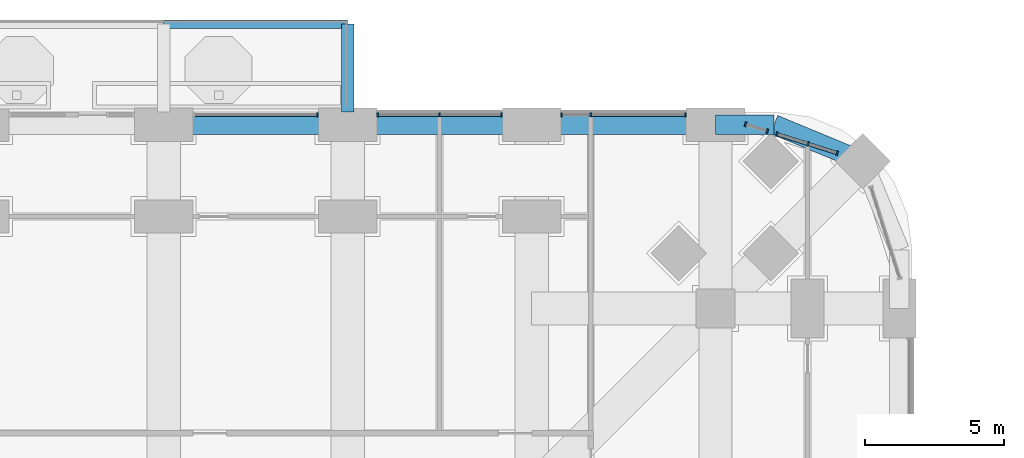
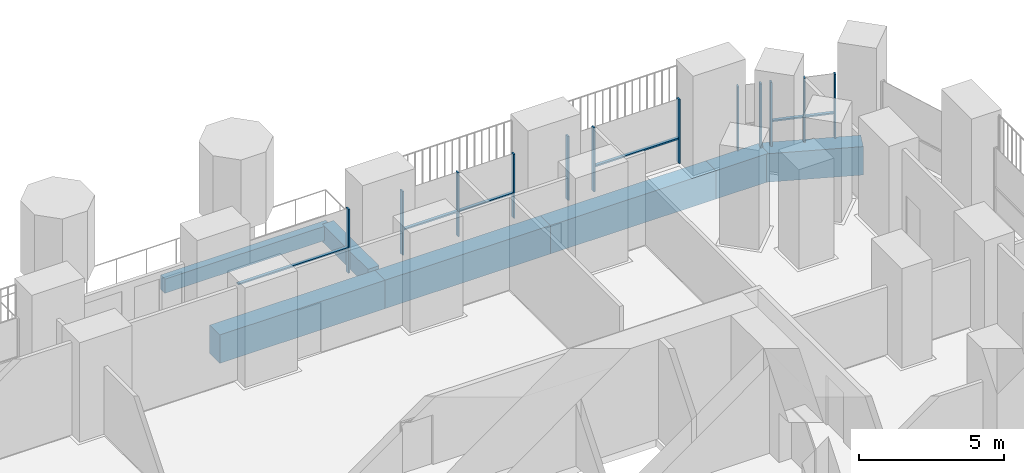
# One storey, part 9 of 26: 18 members, 7 beams, 5 elements without a shape of their own.
"""IFC4 building model written with IfcOpenShell, lengths in metres."""

from ifc_helpers import new_model, si_unit, direction, frame, origin, origin_2d, place, context, subcontext, project, spatial, rectangle, extrude, material, material_profile, profile_set, type_object, element, aggregate, save


model = new_model("IFC4")

# Units and contexts
model_context = context("Model", 3, precision=1e-05, world=origin(), true_north=direction((0.0, 1.0)))
body_context = subcontext(model_context, "Body", "Model", "MODEL_VIEW")
ifc_project = project(units=[si_unit("LENGTHUNIT", "METRE"), si_unit("AREAUNIT", "SQUARE_METRE"), si_unit("VOLUMEUNIT", "CUBIC_METRE"), si_unit("PLANEANGLEUNIT", "RADIAN"), si_unit("MASSUNIT", "GRAM", prefix="KILO")], contexts=[model_context])

# Site, building, storey
site_placement = place(None, origin())
site = spatial("IfcSite", under=ifc_project, at=site_placement, CompositionType="ELEMENT")
building_placement = place(site_placement, origin())
building = spatial("IfcBuilding", under=site, at=building_placement, Name="Cobogo Forest Laboratory Tower", CompositionType="ELEMENT")
storey_placement = place(building_placement, frame((0.0, 0.0, 42.300048828125)))
storey = spatial("IfcBuildingStorey", under=building, at=storey_placement, Name="L09", CompositionType="ELEMENT", Elevation=42.300048828125)

# Beams
ifc_material_1 = material(Name="Concrete HA-40 (C40/50)", Category="concrete")
ifc_material_profile_1 = material_profile(ifc_material_1, rectangle(XDim=0.449951171875, YDim=0.75, at=origin_2d()), Name="RC 450x750")
ifc_profile_set_1 = profile_set([ifc_material_profile_1], Name="Concrete HA-40 (C40/50)")
beam_type_1 = type_object("IfcBeamType", Name="Balcony cantilever beam 450x750", PredefinedType="BEAM", material=ifc_profile_set_1)
beam_1_placement = place(storey_placement, frame((33.0, 46.64990234375, -0.625), z_axis=(0.0, 1.0, 0.0), x_axis=(-1.0, 0.0, 0.0)))
element("IfcBeam", 1, at=beam_1_placement, inside=storey, type_object=beam_type_1, Name="CB1 BAL-N1-C3 L09", PredefinedType="BEAM", context=body_context, shape_type="SweptSolid", body=[
    extrude(rectangle(XDim=0.449951171875, YDim=0.75, at=origin_2d()), origin(), (0.0, 0.0, 1.0), 3.150146484375),
])
ifc_material_profile_2 = material_profile(ifc_material_1, rectangle(XDim=0.300048828125, YDim=0.60009765625, at=origin_2d()), Name="RC 300x600")
ifc_profile_set_2 = profile_set([ifc_material_profile_2], Name="Concrete HA-40 (C40/50)")
beam_type_2 = type_object("IfcBeamType", Name="Balcony edge beam 300x600", PredefinedType="BEAM", material=ifc_profile_set_2)
beam_2_placement = place(storey_placement, frame((26.39990234375, 49.800048828125, -0.550048828125), z_axis=(1.0, 0.0, 0.0), x_axis=(0.0, 1.0, 0.0)))
element("IfcBeam", 2, at=beam_2_placement, inside=storey, type_object=beam_type_2, Name="BB1 BAL-N1-T2 L09", PredefinedType="BEAM", context=body_context, shape_type="SweptSolid", body=[
    extrude(rectangle(XDim=0.300048828125, YDim=0.60009765625, at=origin_2d()), origin(), (0.0, 0.0, 1.0), 6.60009765625),
])

# Curtain wall, members
ifc_material_2 = material(Name="Aluminium curtain wall", Category="aluminium")
curtain_wall_type = type_object("IfcCurtainWallType", Name="CW-1 unitised curtain wall, clear glazing, laboratory floors zones A and B", PredefinedType="USERDEFINED", material=ifc_material_2)
curtain_wall_1_placement = place(storey_placement, origin())
curtain_wall_1 = element("IfcCurtainWall", 3, at=curtain_wall_1_placement, inside=storey, type_object=curtain_wall_type, Name="Curtain wall 16 L09", ObjectType="UNITISED CURTAIN WALL", PredefinedType="USERDEFINED")
ifc_material_3 = material(Name="Aluminium mullion", Category="aluminium")
ifc_material_profile_3 = material_profile(ifc_material_3, rectangle(XDim=0.06005859375, YDim=0.159912109375, at=origin_2d()), Name="AL 60x160")
ifc_profile_set_3 = profile_set([ifc_material_profile_3], Name="Aluminium mullion")
member_type_1 = type_object("IfcMemberType", Name="MU-1 aluminium mullion 60x160", PredefinedType="MULLION", material=ifc_profile_set_3)
member_1_placement = place(storey_placement, frame((50.561279296875, 45.1728515625, 0.0), z_axis=(0.0, 0.0, 1.0), x_axis=(-0.953581409645, 0.301135343623, 0.0)))
member_1 = element("IfcMember", 4, at=member_1_placement, type_object=member_type_1, Name="CW-1 mullion 1", PredefinedType="MULLION", context=body_context, shape_type="SweptSolid", body=[
    extrude(rectangle(XDim=0.06005859375, YDim=0.159912109375, at=origin_2d()), origin(), (0.0, 0.0, 1.0), 2.699951171875),
])
member_2_placement = place(storey_placement, frame((49.524169921875, 45.500244140625, 0.0), z_axis=(0.0, 0.0, 1.0), x_axis=(-0.953581409645, 0.301135343623, 0.0)))
member_2 = element("IfcMember", 5, at=member_2_placement, type_object=member_type_1, Name="CW-1 mullion 2", PredefinedType="MULLION", context=body_context, shape_type="SweptSolid", body=[
    extrude(rectangle(XDim=0.06005859375, YDim=0.159912109375, at=origin_2d()), origin(), (0.0, 0.0, 1.0), 2.699951171875),
])
member_3_placement = place(storey_placement, frame((48.403076171875, 45.854248046875, 0.0), z_axis=(0.0, 0.0, 1.0), x_axis=(-0.953581409645, 0.301135343623, 0.0)))
member_3 = element("IfcMember", 6, at=member_3_placement, type_object=member_type_1, Name="CW-1 mullion 3", PredefinedType="MULLION", context=body_context, shape_type="SweptSolid", body=[
    extrude(rectangle(XDim=0.06005859375, YDim=0.159912109375, at=origin_2d()), origin(), (0.0, 0.0, 1.0), 2.699951171875),
])

curtain_wall_2_placement = place(storey_placement, origin())
curtain_wall_2 = element("IfcCurtainWall", 7, at=curtain_wall_2_placement, inside=storey, type_object=curtain_wall_type, Name="Curtain wall 17 L09", ObjectType="UNITISED CURTAIN WALL", PredefinedType="USERDEFINED")
member_4_placement = place(storey_placement, frame((48.05322265625, 45.96484375, 0.0), z_axis=(0.0, 0.0, 1.0), x_axis=(-0.953581504428, 0.301135043481, 0.0)))
member_4 = element("IfcMember", 8, at=member_4_placement, type_object=member_type_1, Name="CW-1 mullion 1", PredefinedType="MULLION", context=body_context, shape_type="SweptSolid", body=[
    extrude(rectangle(XDim=0.06005859375, YDim=0.159912109375, at=origin_2d()), origin(), (0.0, 0.0, 1.0), 2.699951171875),
])
member_5_placement = place(storey_placement, frame((47.278564453125, 46.20947265625, 0.0), z_axis=(0.0, 0.0, 1.0), x_axis=(-0.953581504428, 0.301135043481, 0.0)))
member_5 = element("IfcMember", 9, at=member_5_placement, type_object=member_type_1, Name="CW-1 mullion 2", PredefinedType="MULLION", context=body_context, shape_type="SweptSolid", body=[
    extrude(rectangle(XDim=0.06005859375, YDim=0.159912109375, at=origin_2d()), origin(), (0.0, 0.0, 1.0), 2.699951171875),
])
aggregate(curtain_wall_2, [member_4, member_5])

curtain_wall_3_placement = place(storey_placement, origin())
curtain_wall_3 = element("IfcCurtainWall", 10, at=curtain_wall_3_placement, inside=storey, type_object=curtain_wall_type, Name="Curtain wall 18 L09", ObjectType="UNITISED CURTAIN WALL", PredefinedType="USERDEFINED")
member_6_placement = place(storey_placement, frame((45.1201171875, 46.550048828125, 0.0), z_axis=(0.0, 0.0, 1.0), x_axis=(-1.0, 0.0, 0.0)))
member_6 = element("IfcMember", 11, at=member_6_placement, type_object=member_type_1, Name="CW-1 mullion 1", PredefinedType="MULLION", context=body_context, shape_type="SweptSolid", body=[
    extrude(rectangle(XDim=0.06005859375, YDim=0.159912109375, at=origin_2d()), origin(), (0.0, 0.0, 1.0), 2.699951171875),
])
member_7_placement = place(storey_placement, frame((41.72509765625, 46.550048828125, 0.0), z_axis=(0.0, 0.0, 1.0), x_axis=(-1.0, 0.0, 0.0)))
member_7 = element("IfcMember", 12, at=member_7_placement, type_object=member_type_1, Name="CW-1 mullion 2", PredefinedType="MULLION", context=body_context, shape_type="SweptSolid", body=[
    extrude(rectangle(XDim=0.06005859375, YDim=0.159912109375, at=origin_2d()), origin(), (0.0, 0.0, 1.0), 2.699951171875),
])
member_8_placement = place(storey_placement, frame((40.679931640625, 46.550048828125, 0.0), z_axis=(0.0, 0.0, 1.0), x_axis=(-1.0, 0.0, 0.0)))
member_8 = element("IfcMember", 13, at=member_8_placement, type_object=member_type_1, Name="CW-1 mullion 3", PredefinedType="MULLION", context=body_context, shape_type="SweptSolid", body=[
    extrude(rectangle(XDim=0.06005859375, YDim=0.159912109375, at=origin_2d()), origin(), (0.0, 0.0, 1.0), 2.699951171875),
])

curtain_wall_4_placement = place(storey_placement, origin())
curtain_wall_4 = element("IfcCurtainWall", 14, at=curtain_wall_4_placement, inside=storey, type_object=curtain_wall_type, Name="Curtain wall 19 L09", ObjectType="UNITISED CURTAIN WALL", PredefinedType="USERDEFINED")
member_9_placement = place(storey_placement, frame((38.52001953125, 46.550048828125, 0.0), z_axis=(0.0, 0.0, 1.0), x_axis=(-1.0, 0.0, 0.0)))
member_9 = element("IfcMember", 15, at=member_9_placement, type_object=member_type_1, Name="CW-1 mullion 1", PredefinedType="MULLION", context=body_context, shape_type="SweptSolid", body=[
    extrude(rectangle(XDim=0.06005859375, YDim=0.159912109375, at=origin_2d()), origin(), (0.0, 0.0, 1.0), 2.699951171875),
])
member_10_placement = place(storey_placement, frame((36.300048828125, 46.550048828125, 0.0), z_axis=(0.0, 0.0, 1.0), x_axis=(-1.0, 0.0, 0.0)))
member_10 = element("IfcMember", 16, at=member_10_placement, type_object=member_type_1, Name="CW-1 mullion 2", PredefinedType="MULLION", context=body_context, shape_type="SweptSolid", body=[
    extrude(rectangle(XDim=0.06005859375, YDim=0.159912109375, at=origin_2d()), origin(), (0.0, 0.0, 1.0), 2.699951171875),
])
member_11_placement = place(storey_placement, frame((34.080078125, 46.550048828125, 0.0), z_axis=(0.0, 0.0, 1.0), x_axis=(-1.0, 0.0, 0.0)))
member_11 = element("IfcMember", 17, at=member_11_placement, type_object=member_type_1, Name="CW-1 mullion 3", PredefinedType="MULLION", context=body_context, shape_type="SweptSolid", body=[
    extrude(rectangle(XDim=0.06005859375, YDim=0.159912109375, at=origin_2d()), origin(), (0.0, 0.0, 1.0), 2.699951171875),
])

# Curtain wall, member
curtain_wall_5_placement = place(storey_placement, origin())
curtain_wall_5 = element("IfcCurtainWall", 18, at=curtain_wall_5_placement, inside=storey, type_object=curtain_wall_type, Name="Curtain wall 20 L09", ObjectType="UNITISED CURTAIN WALL", PredefinedType="USERDEFINED")
member_12_placement = place(storey_placement, frame((31.919921875, 46.550048828125, 0.0), z_axis=(0.0, 0.0, 1.0), x_axis=(-1.0, 0.0, 0.0)))
member_12 = element("IfcMember", 19, at=member_12_placement, type_object=member_type_1, Name="CW-1 mullion 1", PredefinedType="MULLION", context=body_context, shape_type="SweptSolid", body=[
    extrude(rectangle(XDim=0.06005859375, YDim=0.159912109375, at=origin_2d()), origin(), (0.0, 0.0, 1.0), 2.699951171875),
])

# Beams
ifc_material_profile_4 = material_profile(ifc_material_1, rectangle(XDim=0.699951171875, YDim=1.199951171875, at=origin_2d()), Name="RC 700x1200")
ifc_profile_set_4 = profile_set([ifc_material_profile_4], Name="Concrete HA-40 (C40/50)")
beam_type_3 = type_object("IfcBeamType", Name="Perimeter edge beam 700x1200", PredefinedType="BEAM", material=ifc_profile_set_4)
for number, where, z_axis, x_axis, name in (
    (20, (26.39990234375, 46.199951171875, -0.900146484375), (1.0, 0.0, 0.0), (0.0, 1.0, 0.0), "EB1 E-N4 L09"),
    (21, (33.0, 46.199951171875, -0.900146484375), (1.0, 0.0, 0.0), (0.0, 1.0, 0.0), "EB1 E-N5 L09"),
):
    element("IfcBeam", number, at=place(storey_placement, frame(where, z_axis=z_axis, x_axis=x_axis)), inside=storey, type_object=beam_type_3, Name=name, PredefinedType="BEAM", context=body_context, shape_type="SweptSolid", body=[
        extrude(rectangle(XDim=0.699951171875, YDim=1.199951171875, at=origin_2d()), origin(), (0.0, 0.0, 1.0), 6.60009765625),
    ])
beam_3_placement = place(storey_placement, frame((39.60009765625, 46.199951171875, -0.900146484375), z_axis=(1.0, 0.0, 0.0), x_axis=(0.0, 1.0, 0.0)))
element("IfcBeam", 22, at=beam_3_placement, inside=storey, type_object=beam_type_3, Name="EB1 E-N6 L09", PredefinedType="BEAM", context=body_context, shape_type="SweptSolid", body=[
    extrude(rectangle(XDim=0.699951171875, YDim=1.199951171875, at=origin_2d()), origin(), (0.0, 0.0, 1.0), 6.599853515625),
])
beam_4_placement = place(storey_placement, frame((46.199951171875, 46.199951171875, -0.900146484375), z_axis=(1.0, 0.0, 0.0), x_axis=(0.0, 1.0, 0.0)))
element("IfcBeam", 23, at=beam_4_placement, inside=storey, type_object=beam_type_3, Name="EB1 E-NEN1 L09", PredefinedType="BEAM", context=body_context, shape_type="SweptSolid", body=[
    extrude(rectangle(XDim=0.699951171875, YDim=1.199951171875, at=origin_2d()), origin(), (0.0, 0.0, 1.0), 2.10009765625),
])
beam_5_placement = place(storey_placement, frame((48.300048828125, 46.199951171875, -0.900146484375), z_axis=(0.923890694089, -0.382656484822, 0.0), x_axis=(0.382656484822, 0.923890694089, 0.0)))
element("IfcBeam", 24, at=beam_5_placement, inside=storey, type_object=beam_type_3, Name="EB1 E-NEN2 L09", PredefinedType="BEAM", context=body_context, shape_type="SweptSolid", body=[
    extrude(rectangle(XDim=0.699951171875, YDim=1.199951171875, at=origin_2d()), origin(), (0.0, 0.0, 1.0), 3.444091796875),
])

# Member
ifc_material_4 = material(Name="Aluminium transom", Category="aluminium")
ifc_material_profile_5 = material_profile(ifc_material_4, rectangle(XDim=0.1201171875, YDim=0.06005859375, at=origin_2d()), Name="AL 60x120")
ifc_profile_set_5 = profile_set([ifc_material_profile_5], Name="Aluminium transom")
member_type_2 = type_object("IfcMemberType", Name="TR-1 aluminium transom 60x120", PredefinedType="USERDEFINED", material=ifc_profile_set_5)
member_13_placement = place(storey_placement, frame((50.53271484375, 45.181884765625, 1.050048828125), z_axis=(-0.953622152866, 0.301006294888, 0.0), x_axis=(-0.301006294888, -0.953622152866, 0.0)))
member_13 = element("IfcMember", 25, at=member_13_placement, type_object=member_type_2, Name="CW-1 transom 1.1", ObjectType="TRANSOM", PredefinedType="USERDEFINED", context=body_context, shape_type="SweptSolid", body=[
    extrude(rectangle(XDim=0.1201171875, YDim=0.06005859375, at=origin_2d()), origin(), (0.0, 0.0, 1.0), 1.027587890625),
])

member_14_placement = place(storey_placement, frame((49.495361328125, 45.50927734375, 1.050048828125), z_axis=(-0.953576049467, 0.301152316747, 0.0), x_axis=(-0.301152316747, -0.953576049467, 0.0)))
member_14 = element("IfcMember", 26, at=member_14_placement, type_object=member_type_2, Name="CW-1 transom 2.1", ObjectType="TRANSOM", PredefinedType="USERDEFINED", context=body_context, shape_type="SweptSolid", body=[
    extrude(rectangle(XDim=0.1201171875, YDim=0.06005859375, at=origin_2d()), origin(), (0.0, 0.0, 1.0), 1.115478515625),
])

aggregate(curtain_wall_1, [member_1, member_2, member_3, member_13, member_14])

member_15_placement = place(storey_placement, frame((45.090087890625, 46.550048828125, 1.050048828125), z_axis=(-1.0, 0.0, 0.0), x_axis=(0.0, -1.0, 0.0)))
member_15 = element("IfcMember", 27, at=member_15_placement, type_object=member_type_2, Name="CW-1 transom 1.1", ObjectType="TRANSOM", PredefinedType="USERDEFINED", context=body_context, shape_type="SweptSolid", body=[
    extrude(rectangle(XDim=0.1201171875, YDim=0.06005859375, at=origin_2d()), origin(), (0.0, 0.0, 1.0), 3.335205078125),
])

aggregate(curtain_wall_3, [member_6, member_7, member_8, member_15])

member_16_placement = place(storey_placement, frame((38.489990234375, 46.550048828125, 1.050048828125), z_axis=(-1.0, 0.0, 0.0), x_axis=(0.0, -1.0, 0.0)))
member_16 = element("IfcMember", 28, at=member_16_placement, type_object=member_type_2, Name="CW-1 transom 1.1", ObjectType="TRANSOM", PredefinedType="USERDEFINED", context=body_context, shape_type="SweptSolid", body=[
    extrude(rectangle(XDim=0.1201171875, YDim=0.06005859375, at=origin_2d()), origin(), (0.0, 0.0, 1.0), 2.159912109375),
])

member_17_placement = place(storey_placement, frame((36.27001953125, 46.550048828125, 1.050048828125), z_axis=(-1.0, 0.0, 0.0), x_axis=(0.0, -1.0, 0.0)))
member_17 = element("IfcMember", 29, at=member_17_placement, type_object=member_type_2, Name="CW-1 transom 2.1", ObjectType="TRANSOM", PredefinedType="USERDEFINED", context=body_context, shape_type="SweptSolid", body=[
    extrude(rectangle(XDim=0.1201171875, YDim=0.06005859375, at=origin_2d()), origin(), (0.0, 0.0, 1.0), 2.159912109375),
])

aggregate(curtain_wall_4, [member_9, member_10, member_11, member_16, member_17])

member_18_placement = place(storey_placement, frame((31.889892578125, 46.550048828125, 1.050048828125), z_axis=(-1.0, 0.0, 0.0), x_axis=(0.0, -1.0, 0.0)))
member_18 = element("IfcMember", 30, at=member_18_placement, type_object=member_type_2, Name="CW-1 transom 1.1", ObjectType="TRANSOM", PredefinedType="USERDEFINED", context=body_context, shape_type="SweptSolid", body=[
    extrude(rectangle(XDim=0.1201171875, YDim=0.06005859375, at=origin_2d()), origin(), (0.0, 0.0, 1.0), 4.3798828125),
])

aggregate(curtain_wall_5, [member_12, member_18])

save(model, "model.ifc")
